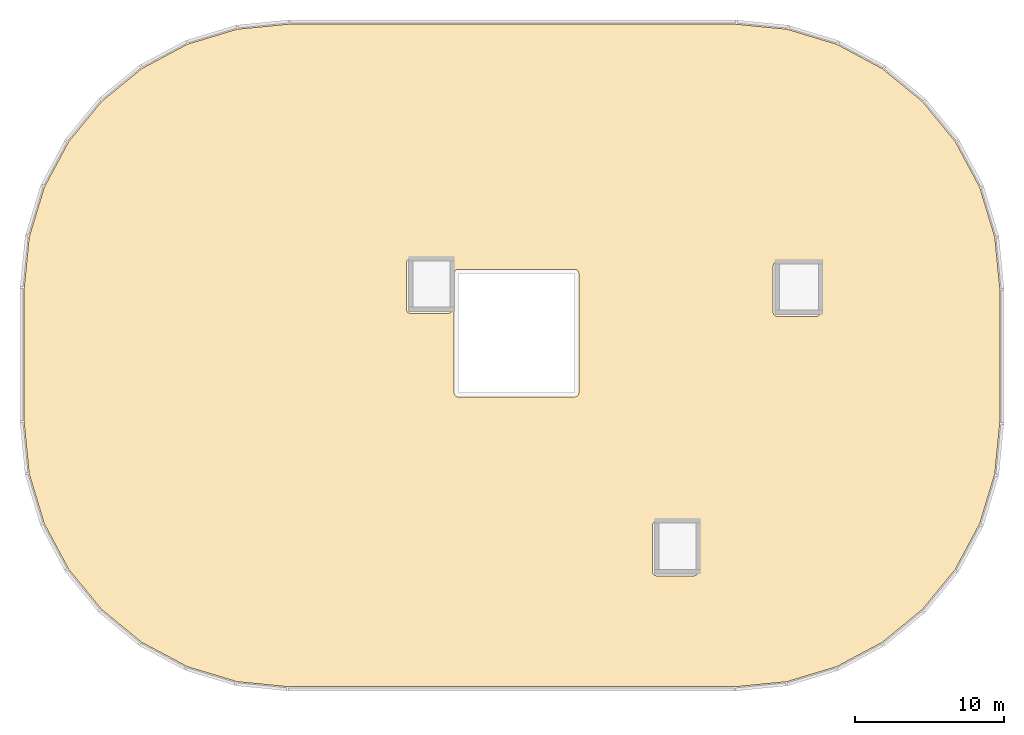
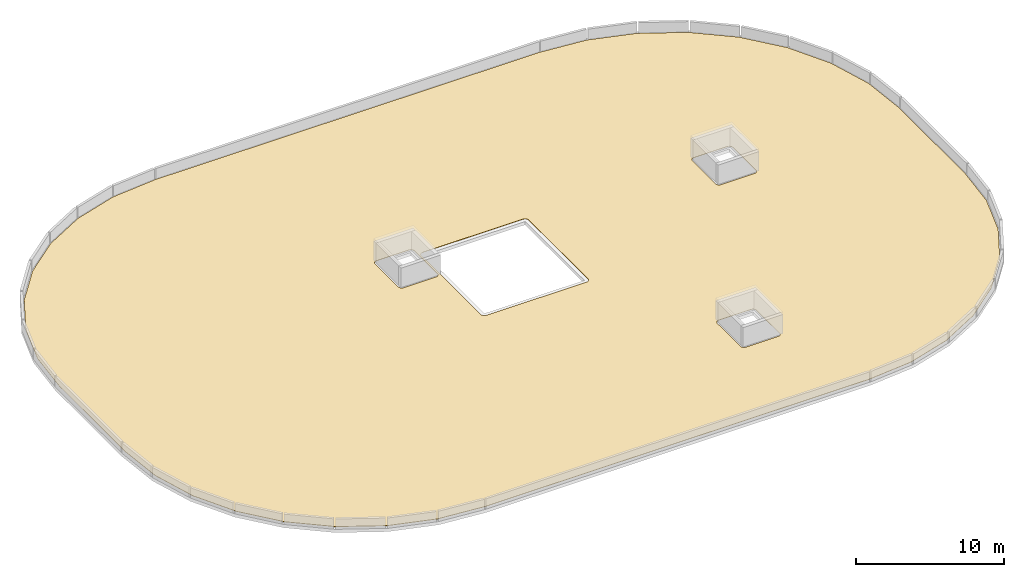
# One storey, part 2 of 2: 1 covering.
"""IFC4 building model written with IfcOpenShell, lengths in metres."""

from ifc_helpers import new_model, si_unit, direction, frame, origin, place, context, subcontext, project, spatial, polyline, outline, extrude, material, layer, layer_set, type_object, element, save


model = new_model("IFC4")

# Units and contexts
model_context = context("Model", 3, precision=1e-05, world=origin(), true_north=direction((0.0, 1.0)))
body_context = subcontext(model_context, "Body", "Model", "MODEL_VIEW")
ifc_project = project(units=[si_unit("LENGTHUNIT", "METRE"), si_unit("AREAUNIT", "SQUARE_METRE"), si_unit("VOLUMEUNIT", "CUBIC_METRE"), si_unit("PLANEANGLEUNIT", "RADIAN"), si_unit("MASSUNIT", "GRAM", prefix="KILO")], contexts=[model_context])

# Site, building, storey
site_placement = place(None, origin())
site = spatial("IfcSite", under=ifc_project, at=site_placement, CompositionType="ELEMENT")
building_placement = place(site_placement, origin())
building = spatial("IfcBuilding", under=site, at=building_placement, Name="Montealbar Specialist Clinic", CompositionType="ELEMENT")
storey_placement = place(building_placement, frame((0.0, 0.0, 30.60009765625)))
storey = spatial("IfcBuildingStorey", under=building, at=storey_placement, Name="RF", CompositionType="ELEMENT", Elevation=30.60009765625)

# Covering
ifc_material = material(Name="Weatherproof roofing membrane", Category="concrete")
ifc_layer = layer(ifc_material, 0.030029296875, Name="Weatherproof roofing membrane", Category="concrete")
ifc_layer_set = layer_set([ifc_layer], Name="Weatherproof roofing membrane")
covering_type = type_object("IfcCoveringType", Name="COV-ROOF-MEMB", PredefinedType="ROOFING", material=ifc_layer_set)
covering_placement = place(storey_placement, origin())
element("IfcCovering", 1, at=covering_placement, inside=storey, type_object=covering_type, Name="Weatherproof Roof Membrane ROOF-RF-01", PredefinedType="ROOFING", context=body_context, shape_type="SweptSolid", body=[
    extrude(outline(polyline([(48.26806640625, 42.843994140625), (50.470947265625, 45.529052734375), (53.156005859375, 47.73193359375), (56.219970703125, 49.3701171875), (59.54296875, 50.3779296875), (63.013916015625, 50.719970703125), (92.986083984375, 50.719970703125), (96.45703125, 50.3779296875), (99.780029296875, 49.3701171875), (102.843994140625, 47.73193359375), (105.529052734375, 45.529052734375), (107.73193359375, 42.843994140625), (109.3701171875, 39.780029296875), (110.3779296875, 36.45703125), (110.719970703125, 32.986083984375), (110.719970703125, 24.013916015625), (110.3779296875, 20.54296875), (109.3701171875, 17.219970703125), (107.73193359375, 14.156005859375), (105.529052734375, 11.470947265625), (102.843994140625, 9.26806640625), (99.780029296875, 7.6298828125), (96.45703125, 6.6220703125), (92.986083984375, 6.280029296875), (63.013916015625, 6.280029296875), (59.54296875, 6.6220703125), (56.219970703125, 7.6298828125), (53.156005859375, 9.26806640625), (50.470947265625, 11.470947265625), (48.26806640625, 14.156005859375), (46.6298828125, 17.219970703125), (45.6220703125, 20.54296875), (45.280029296875, 24.013916015625), (45.280029296875, 32.986083984375), (45.6220703125, 36.45703125), (46.6298828125, 39.780029296875), (48.26806640625, 42.843994140625)]), holes=[polyline([(98.679931640625, 34.5), (98.678955078125, 34.527099609375), (98.675048828125, 34.554931640625), (98.66796875, 34.5810546875), (98.658935546875, 34.60693359375), (98.64697265625, 34.632080078125), (98.633056640625, 34.656005859375), (98.615966796875, 34.677978515625), (98.597900390625, 34.697998046875), (98.577880859375, 34.716064453125), (98.555908203125, 34.73291015625), (98.531982421875, 34.7470703125), (98.507080078125, 34.759033203125), (98.48095703125, 34.76806640625), (98.455078125, 34.77490234375), (98.427001953125, 34.779052734375), (98.39990234375, 34.780029296875), (95.800048828125, 34.780029296875), (95.77294921875, 34.779052734375), (95.7451171875, 34.77490234375), (95.718994140625, 34.76806640625), (95.693115234375, 34.759033203125), (95.66796875, 34.7470703125), (95.64404296875, 34.73291015625), (95.6220703125, 34.716064453125), (95.60205078125, 34.697998046875), (95.583984375, 34.677978515625), (95.56689453125, 34.656005859375), (95.552978515625, 34.632080078125), (95.541015625, 34.60693359375), (95.531982421875, 34.5810546875), (95.52490234375, 34.554931640625), (95.52099609375, 34.527099609375), (95.52001953125, 34.5), (95.52001953125, 31.39990234375), (95.52099609375, 31.373046875), (95.52490234375, 31.344970703125), (95.531982421875, 31.319091796875), (95.541015625, 31.29296875), (95.552978515625, 31.26806640625), (95.56689453125, 31.243896484375), (95.583984375, 31.221923828125), (95.60205078125, 31.201904296875), (95.6220703125, 31.18408203125), (95.64404296875, 31.1669921875), (95.66796875, 31.153076171875), (95.693115234375, 31.14111328125), (95.718994140625, 31.132080078125), (95.7451171875, 31.125), (95.77294921875, 31.12109375), (95.800048828125, 31.1201171875), (98.39990234375, 31.1201171875), (98.427001953125, 31.12109375), (98.455078125, 31.125), (98.48095703125, 31.132080078125), (98.507080078125, 31.14111328125), (98.531982421875, 31.153076171875), (98.555908203125, 31.1669921875), (98.577880859375, 31.18408203125), (98.597900390625, 31.201904296875), (98.615966796875, 31.221923828125), (98.633056640625, 31.243896484375), (98.64697265625, 31.26806640625), (98.658935546875, 31.29296875), (98.66796875, 31.319091796875), (98.675048828125, 31.344970703125), (98.678955078125, 31.373046875), (98.679931640625, 31.39990234375), (98.679931640625, 34.5)]), polyline([(87.699951171875, 17.3798828125), (87.673095703125, 17.37890625), (87.64501953125, 17.375), (87.618896484375, 17.367919921875), (87.593017578125, 17.35888671875), (87.568115234375, 17.346923828125), (87.5439453125, 17.3330078125), (87.52197265625, 17.31591796875), (87.501953125, 17.298095703125), (87.48388671875, 17.278076171875), (87.467041015625, 17.256103515625), (87.452880859375, 17.23193359375), (87.44091796875, 17.20703125), (87.431884765625, 17.180908203125), (87.425048828125, 17.155029296875), (87.4208984375, 17.126953125), (87.419921875, 17.10009765625), (87.419921875, 14.0), (87.4208984375, 13.972900390625), (87.425048828125, 13.945068359375), (87.431884765625, 13.9189453125), (87.44091796875, 13.89306640625), (87.452880859375, 13.867919921875), (87.467041015625, 13.843994140625), (87.48388671875, 13.822021484375), (87.501953125, 13.802001953125), (87.52197265625, 13.783935546875), (87.5439453125, 13.76708984375), (87.568115234375, 13.7529296875), (87.593017578125, 13.740966796875), (87.618896484375, 13.73193359375), (87.64501953125, 13.72509765625), (87.673095703125, 13.720947265625), (87.699951171875, 13.719970703125), (90.199951171875, 13.719970703125), (90.22705078125, 13.720947265625), (90.2548828125, 13.72509765625), (90.281005859375, 13.73193359375), (90.306884765625, 13.740966796875), (90.33203125, 13.7529296875), (90.35595703125, 13.76708984375), (90.3779296875, 13.783935546875), (90.39794921875, 13.802001953125), (90.416015625, 13.822021484375), (90.43310546875, 13.843994140625), (90.447021484375, 13.867919921875), (90.458984375, 13.89306640625), (90.468017578125, 13.9189453125), (90.47509765625, 13.945068359375), (90.47900390625, 13.972900390625), (90.47998046875, 14.0), (90.47998046875, 17.10009765625), (90.47900390625, 17.126953125), (90.47509765625, 17.155029296875), (90.468017578125, 17.180908203125), (90.458984375, 17.20703125), (90.447021484375, 17.23193359375), (90.43310546875, 17.256103515625), (90.416015625, 17.278076171875), (90.39794921875, 17.298095703125), (90.3779296875, 17.31591796875), (90.35595703125, 17.3330078125), (90.33203125, 17.346923828125), (90.306884765625, 17.35888671875), (90.281005859375, 17.367919921875), (90.2548828125, 17.375), (90.22705078125, 17.37890625), (90.199951171875, 17.3798828125), (87.699951171875, 17.3798828125)]), polyline([(74.1201171875, 26.0), (74.12109375, 25.972900390625), (74.125, 25.945068359375), (74.132080078125, 25.9189453125), (74.14111328125, 25.89306640625), (74.153076171875, 25.867919921875), (74.1669921875, 25.843994140625), (74.18408203125, 25.822021484375), (74.201904296875, 25.802001953125), (74.221923828125, 25.783935546875), (74.243896484375, 25.76708984375), (74.26806640625, 25.7529296875), (74.29296875, 25.740966796875), (74.319091796875, 25.73193359375), (74.344970703125, 25.72509765625), (74.373046875, 25.720947265625), (74.39990234375, 25.719970703125), (82.199951171875, 25.719970703125), (82.22705078125, 25.720947265625), (82.2548828125, 25.72509765625), (82.281005859375, 25.73193359375), (82.306884765625, 25.740966796875), (82.33203125, 25.7529296875), (82.35595703125, 25.76708984375), (82.3779296875, 25.783935546875), (82.39794921875, 25.802001953125), (82.416015625, 25.822021484375), (82.43310546875, 25.843994140625), (82.447021484375, 25.867919921875), (82.458984375, 25.89306640625), (82.468017578125, 25.9189453125), (82.47509765625, 25.945068359375), (82.47900390625, 25.972900390625), (82.47998046875, 26.0), (82.47998046875, 34.0), (82.47900390625, 34.027099609375), (82.47509765625, 34.054931640625), (82.468017578125, 34.0810546875), (82.458984375, 34.10693359375), (82.447021484375, 34.132080078125), (82.43310546875, 34.156005859375), (82.416015625, 34.177978515625), (82.39794921875, 34.197998046875), (82.3779296875, 34.216064453125), (82.35595703125, 34.23291015625), (82.33203125, 34.2470703125), (82.306884765625, 34.259033203125), (82.281005859375, 34.26806640625), (82.2548828125, 34.27490234375), (82.22705078125, 34.279052734375), (82.199951171875, 34.280029296875), (74.39990234375, 34.280029296875), (74.373046875, 34.279052734375), (74.344970703125, 34.27490234375), (74.319091796875, 34.26806640625), (74.29296875, 34.259033203125), (74.26806640625, 34.2470703125), (74.243896484375, 34.23291015625), (74.221923828125, 34.216064453125), (74.201904296875, 34.197998046875), (74.18408203125, 34.177978515625), (74.1669921875, 34.156005859375), (74.153076171875, 34.132080078125), (74.14111328125, 34.10693359375), (74.132080078125, 34.0810546875), (74.125, 34.054931640625), (74.12109375, 34.027099609375), (74.1201171875, 34.0), (74.1201171875, 26.0)]), polyline([(70.919921875, 31.60009765625), (70.9208984375, 31.572998046875), (70.925048828125, 31.544921875), (70.931884765625, 31.51904296875), (70.94091796875, 31.492919921875), (70.952880859375, 31.468017578125), (70.967041015625, 31.444091796875), (70.98388671875, 31.422119140625), (71.001953125, 31.402099609375), (71.02197265625, 31.384033203125), (71.0439453125, 31.366943359375), (71.068115234375, 31.35302734375), (71.093017578125, 31.341064453125), (71.118896484375, 31.33203125), (71.14501953125, 31.324951171875), (71.173095703125, 31.321044921875), (71.199951171875, 31.320068359375), (73.699951171875, 31.320068359375), (73.72705078125, 31.321044921875), (73.7548828125, 31.324951171875), (73.781005859375, 31.33203125), (73.806884765625, 31.341064453125), (73.83203125, 31.35302734375), (73.85595703125, 31.366943359375), (73.8779296875, 31.384033203125), (73.89794921875, 31.402099609375), (73.916015625, 31.422119140625), (73.93310546875, 31.444091796875), (73.947021484375, 31.468017578125), (73.958984375, 31.492919921875), (73.968017578125, 31.51904296875), (73.97509765625, 31.544921875), (73.97900390625, 31.572998046875), (73.97998046875, 31.60009765625), (73.97998046875, 34.699951171875), (73.97900390625, 34.72705078125), (73.97509765625, 34.7548828125), (73.968017578125, 34.781005859375), (73.958984375, 34.806884765625), (73.947021484375, 34.83203125), (73.93310546875, 34.85595703125), (73.916015625, 34.8779296875), (73.89794921875, 34.89794921875), (73.8779296875, 34.916015625), (73.85595703125, 34.93310546875), (73.83203125, 34.947021484375), (73.806884765625, 34.958984375), (73.781005859375, 34.968017578125), (73.7548828125, 34.97509765625), (73.72705078125, 34.97900390625), (73.699951171875, 34.97998046875), (71.199951171875, 34.97998046875), (71.173095703125, 34.97900390625), (71.14501953125, 34.97509765625), (71.118896484375, 34.968017578125), (71.093017578125, 34.958984375), (71.068115234375, 34.947021484375), (71.0439453125, 34.93310546875), (71.02197265625, 34.916015625), (71.001953125, 34.89794921875), (70.98388671875, 34.8779296875), (70.967041015625, 34.85595703125), (70.952880859375, 34.83203125), (70.94091796875, 34.806884765625), (70.931884765625, 34.781005859375), (70.925048828125, 34.7548828125), (70.9208984375, 34.72705078125), (70.919921875, 34.699951171875), (70.919921875, 31.60009765625)])]), origin(), (0.0, 0.0, 1.0), 0.02978515625),
])

save(model, "model.ifc")
